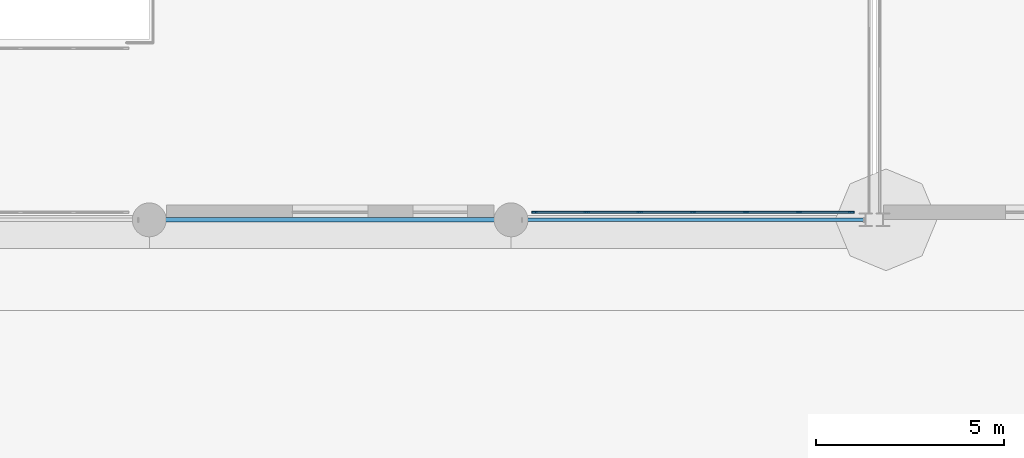
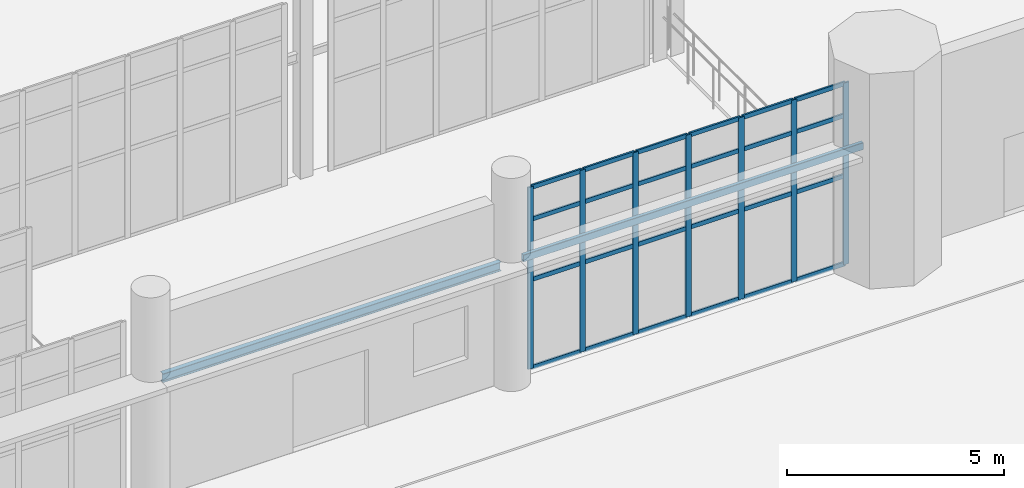
# One storey, part 49 of 139: 31 members, 2 beams, 1 element without a shape of its own.
"""IFC4 building model written with IfcOpenShell, lengths in metres."""

import ifcopenshell
import ifcopenshell.guid

model = None  # the IFC model being written
_history = None  # IfcOwnerHistory: only IFC2X3 demands one
_inside = {}  # id of a spatial element -> (the spatial element, [elements in it])
_under = {}  # id of a project, library or spatial element -> (it, [spatial elements below it])
_declared = {}  # id of a project -> (the project, [libraries it declares])
_typed = {}  # id of a type object -> (the type object, [elements of that type])
_made_of = {}  # id of a material, layer set ... -> (it, [elements and type objects made of it])


def new_model(schema):
    """Start an empty IFC model of exactly this schema.

    Asked for "IFC4X3", IfcOpenShell would pick the latest addendum, in which some entities
    have other attributes; the version numbers below select the first issue.
    IFC2X3 requires an IfcOwnerHistory on every rooted entity: one is made here for all.
    """
    global model, _history
    if schema == "IFC4X3":
        model = ifcopenshell.file(schema_version=(4, 3, 0, 0))
    else:
        model = ifcopenshell.file(schema=schema)
    _inside.clear()
    _under.clear()
    _declared.clear()
    _typed.clear()
    _made_of.clear()
    _history = None
    if model.schema == "IFC2X3":
        org = make("IfcOrganization", Name="unknown")
        user = make(
            "IfcPersonAndOrganization",
            ThePerson=make("IfcPerson", FamilyName="unknown"),
            TheOrganization=org,
        )
        app = make(
            "IfcApplication",
            ApplicationDeveloper=org,
            Version="unknown",
            ApplicationFullName="unknown",
            ApplicationIdentifier="unknown",
        )
        _history = make(
            "IfcOwnerHistory",
            OwningUser=user,
            OwningApplication=app,
            ChangeAction="ADDED",
            CreationDate=0,
        )
    return model


def make(cls, **values):
    """One entity of the class cls with the attributes given. An attribute that is None is left unset."""
    return model.create_entity(
        cls, **{name: value for name, value in values.items() if value is not None}
    )


def rooted(cls, **values):
    """An entity with a GlobalId (a new one), such as an element, a storey or a relation."""
    return make(cls, GlobalId=ifcopenshell.guid.new(), OwnerHistory=_history, **values)


def si_unit(unit_type, name, prefix=None):
    """IfcSIUnit, for example si_unit("LENGTHUNIT", "METRE", prefix="MILLI")."""
    return make("IfcSIUnit", UnitType=unit_type, Prefix=prefix, Name=name)


def assignment(units):
    """IfcUnitAssignment: the units of a project."""
    return None if units is None else make("IfcUnitAssignment", Units=units)


def point(xyz):
    """IfcCartesianPoint."""
    return None if xyz is None else make("IfcCartesianPoint", Coordinates=xyz)


def direction(xyz):
    """IfcDirection."""
    return None if xyz is None else make("IfcDirection", DirectionRatios=xyz)


def frame(location, z_axis=None, x_axis=None):
    """IfcAxis2Placement3D, a coordinate frame: its origin and axes. An axis left out is left unset."""
    return make(
        "IfcAxis2Placement3D",
        Location=point(location),
        Axis=direction(z_axis),
        RefDirection=direction(x_axis),
    )


def frame_2d(location, x_axis=None):
    """IfcAxis2Placement2D, a coordinate frame in the plane: its origin and x axis."""
    return make(
        "IfcAxis2Placement2D", Location=point(location), RefDirection=direction(x_axis)
    )


def origin():
    """The frame at (0, 0, 0) with its axes left unset."""
    return frame((0.0, 0.0, 0.0))


def origin_2d():
    """The frame at (0, 0) in the plane with its x axis left unset."""
    return frame_2d((0.0, 0.0))


def place(relative_to, where):
    """IfcLocalPlacement: puts the frame where relative to a parent placement (None: the world)."""
    return make(
        "IfcLocalPlacement", PlacementRelTo=relative_to, RelativePlacement=where
    )


def context(
    kind, dimensions, precision=None, world=None, true_north=None, identifier=None
):
    """IfcGeometricRepresentationContext, for example the 3D "Model" context."""
    return make(
        "IfcGeometricRepresentationContext",
        ContextIdentifier=identifier,
        ContextType=kind,
        CoordinateSpaceDimension=dimensions,
        Precision=precision,
        WorldCoordinateSystem=world,
        TrueNorth=true_north,
    )


def subcontext(parent, identifier, kind, view, scale=None):
    """IfcGeometricRepresentationSubContext, for example "Body" below "Model"."""
    return make(
        "IfcGeometricRepresentationSubContext",
        ContextIdentifier=identifier,
        ContextType=kind,
        ParentContext=parent,
        TargetScale=scale,
        TargetView=view,
    )


def project(units=None, contexts=None):
    """IfcProject with its units and contexts."""
    return rooted(
        "IfcProject",
        Name="project",
        RepresentationContexts=contexts,
        UnitsInContext=assignment(units),
    )


def spatial(cls, under=None, at=None, **own):
    """A site, building, storey or space (cls), placed at a placement, below another one or the project."""
    s = rooted(cls, ObjectPlacement=at, **own)
    if under is not None:
        _under.setdefault(under.id(), (under, []))[1].append(s)
    return s


def profile(cls, at=None, kind="AREA", **sizes):
    """A parametric profile (cls). Its sizes go by their IFC names, for example OverallWidth=200.0."""
    return make(cls, ProfileType=kind, Position=at, **sizes)


def rectangle(**sizes):
    """IfcRectangleProfileDef."""
    return profile("IfcRectangleProfileDef", **sizes)


def hollow_rectangle(**sizes):
    """IfcRectangleHollowProfileDef."""
    return profile("IfcRectangleHollowProfileDef", **sizes)


def i_section(**sizes):
    """IfcIShapeProfileDef."""
    return profile("IfcIShapeProfileDef", **sizes)


def extrude(swept, where, along, depth):
    """IfcExtrudedAreaSolid: the profile swept, set in the frame where, extruded along a direction by depth."""
    return make(
        "IfcExtrudedAreaSolid",
        SweptArea=swept,
        Position=where,
        ExtrudedDirection=direction(along),
        Depth=depth,
    )


def shape(context_of_items, identifier, shape_type, items):
    """IfcShapeRepresentation: the items that make up one representation, for example the "Body"."""
    return make(
        "IfcShapeRepresentation",
        ContextOfItems=context_of_items,
        RepresentationIdentifier=identifier,
        RepresentationType=shape_type,
        Items=items,
    )


def material(Name=None, Category=None):
    """IfcMaterial."""
    return make("IfcMaterial", Name=Name, Category=Category)


def layer(
    of_material, thickness, ventilated=None, Name=None, Category=None, Priority=None
):
    """IfcMaterialLayer: one layer of a wall or slab, of a material (None: an air gap)."""
    return make(
        "IfcMaterialLayer",
        Material=of_material,
        LayerThickness=thickness,
        IsVentilated=ventilated,
        Name=Name,
        Category=Category,
        Priority=Priority,
    )


def layer_set(layers, Name=None):
    """IfcMaterialLayerSet."""
    return make("IfcMaterialLayerSet", MaterialLayers=layers, LayerSetName=Name)


def material_profile(
    of_material, cross_section, Name=None, Category=None, Priority=None
):
    """IfcMaterialProfile: a cross section and its material."""
    return make(
        "IfcMaterialProfile",
        Name=Name,
        Material=of_material,
        Profile=cross_section,
        Priority=Priority,
        Category=Category,
    )


def profile_set(profiles, Name=None, composite=None):
    """IfcMaterialProfileSet."""
    return make(
        "IfcMaterialProfileSet",
        Name=Name,
        MaterialProfiles=profiles,
        CompositeProfile=composite,
    )


def made_of(thing, what):
    """Note that an element or type object is made of a material, layer set ...; save() writes the relation."""
    if what is not None:
        _made_of.setdefault(what.id(), (what, []))[1].append(thing)
    return thing


def type_object(cls, material=None, **own):
    """A type object (cls), such as IfcWallType, which elements share."""
    return made_of(rooted(cls, **own), material)


def element(
    cls,
    number,
    at=None,
    inside=None,
    cuts=None,
    type_object=None,
    material=None,
    context=None,
    identifier="Body",
    shape_type=None,
    held_by="IfcProductDefinitionShape",
    body=None,
    shapes=None,
    **own,
):
    """One element of the class cls, such as IfcWall. Its Tag is "e" and its number.

    at: its placement. inside: the storey or other place that contains it. cuts: it is an
    opening in that element (IfcRelVoidsElement). A single representation is given by context,
    identifier, shape_type and body (its items); several are given by shapes. held_by: the class
    of the entity that holds the representations. save() writes the other relations.
    """
    e = rooted(cls, Tag="e%d" % number, ObjectPlacement=at, **own)
    if body is not None:
        shapes = [shape(context, identifier, shape_type, body)]
    if shapes is not None:
        e.Representation = make(held_by, Representations=shapes)
    if inside is not None:
        _inside.setdefault(inside.id(), (inside, []))[1].append(e)
    if cuts is not None:
        rooted(
            "IfcRelVoidsElement", RelatingBuildingElement=cuts, RelatedOpeningElement=e
        )
    if type_object is not None:
        _typed.setdefault(type_object.id(), (type_object, []))[1].append(e)
    return made_of(e, material)


def aggregate(whole, parts):
    """IfcRelAggregates: a whole, such as a stair, and the parts it consists of."""
    return rooted("IfcRelAggregates", RelatingObject=whole, RelatedObjects=parts)


def save(model, path):
    """Write the relations noted so far, then the file.

    IfcRelAggregates (storeys below a building ...), IfcRelContainedInSpatialStructure (elements
    in a storey), IfcRelDefinesByType, IfcRelAssociatesMaterial and IfcRelDeclares: one each for
    every whole, place, type object, material and project.
    """
    for whole, parts in _under.values():
        aggregate(whole, parts)
    for where, things in _inside.values():
        rooted(
            "IfcRelContainedInSpatialStructure",
            RelatedElements=things,
            RelatingStructure=where,
        )
    for kind, things in _typed.values():
        rooted("IfcRelDefinesByType", RelatedObjects=things, RelatingType=kind)
    for what, things in _made_of.values():
        rooted("IfcRelAssociatesMaterial", RelatedObjects=things, RelatingMaterial=what)
    for by, libraries in _declared.values():
        rooted("IfcRelDeclares", RelatingContext=by, RelatedDefinitions=libraries)
    model.write(path)


model = new_model("IFC4")

# Units and contexts
model_context = context("Model", 3, precision=1e-05, world=origin(), true_north=direction((0.0, 1.0)))
body_context = subcontext(model_context, "Body", "Model", "MODEL_VIEW")
ifc_project = project(units=[si_unit("LENGTHUNIT", "METRE"), si_unit("AREAUNIT", "SQUARE_METRE"), si_unit("VOLUMEUNIT", "CUBIC_METRE"), si_unit("PLANEANGLEUNIT", "RADIAN"), si_unit("MASSUNIT", "GRAM", prefix="KILO")], contexts=[model_context])

# Site, building, storey
site_placement = place(None, origin())
site = spatial("IfcSite", under=ifc_project, at=site_placement, CompositionType="ELEMENT")
building_placement = place(site_placement, origin())
building = spatial("IfcBuilding", under=site, at=building_placement, Name="Yeouljin Market Hall", CompositionType="ELEMENT")
storey_placement = place(building_placement, origin())
storey = spatial("IfcBuildingStorey", under=building, at=storey_placement, Name="L00", CompositionType="ELEMENT", Elevation=0.0)

# Curtain wall, members
ifc_material_1 = material(Name="Thermally Broken Aluminium", Category="aluminium")
ifc_layer = layer(ifc_material_1, 0.14990234375)
ifc_layer_set = layer_set([ifc_layer], Name="Thermally Broken Aluminium")
curtain_wall_type = type_object("IfcCurtainWallType", Name="CW_ColonnadeScreen_System", PredefinedType="USERDEFINED", material=ifc_layer_set)
curtain_wall_placement = place(storey_placement, origin())
curtain_wall = element("IfcCurtainWall", 1, at=curtain_wall_placement, inside=storey, type_object=curtain_wall_type, Name="Curtain wall CW-V5S-L00-6", ObjectType="CURTAIN WALL", PredefinedType="USERDEFINED")
ifc_material_2 = material(Name="Thermally Broken Aluminium", Category="aluminium")
ifc_material_profile_1 = material_profile(ifc_material_2, rectangle(XDim=0.048095703125, YDim=0.14990234375, at=origin_2d()), Name="CW-MULL-48x150")
ifc_profile_set_1 = profile_set([ifc_material_profile_1], Name="Thermally Broken Aluminium")
member_type_1 = type_object("IfcMemberType", Name="CWMullion_48x150", PredefinedType="MULLION", material=ifc_profile_set_1)
member_1_placement = place(storey_placement, frame((140.426025390625, 0.199951171875, 0.0), z_axis=(0.0, 0.0, 1.0), x_axis=(0.0, -1.0, 0.0)))
member_1 = element("IfcMember", 2, at=member_1_placement, type_object=member_type_1, Name="CW-06 mullion 1", PredefinedType="MULLION", context=body_context, shape_type="SweptSolid", body=[
    extrude(rectangle(XDim=0.048095703125, YDim=0.14990234375, at=origin_2d()), origin(), (0.0, 0.0, 1.0), 5.1201171875),
])
member_2_placement = place(storey_placement, frame((139.041748046875, 0.199951171875, 0.0), z_axis=(0.0, 0.0, 1.0), x_axis=(0.0, -1.0, 0.0)))
member_2 = element("IfcMember", 3, at=member_2_placement, type_object=member_type_1, Name="CW-06 mullion 2", PredefinedType="MULLION", context=body_context, shape_type="SweptSolid", body=[
    extrude(rectangle(XDim=0.048095703125, YDim=0.14990234375, at=origin_2d()), origin(), (0.0, 0.0, 1.0), 5.1201171875),
])
member_3_placement = place(storey_placement, frame((137.63330078125, 0.199951171875, 0.0), z_axis=(0.0, 0.0, 1.0), x_axis=(0.0, -1.0, 0.0)))
member_3 = element("IfcMember", 4, at=member_3_placement, type_object=member_type_1, Name="CW-06 mullion 3", PredefinedType="MULLION", context=body_context, shape_type="SweptSolid", body=[
    extrude(rectangle(XDim=0.048095703125, YDim=0.14990234375, at=origin_2d()), origin(), (0.0, 0.0, 1.0), 5.1201171875),
])
member_4_placement = place(storey_placement, frame((136.22509765625, 0.199951171875, 0.0), z_axis=(0.0, 0.0, 1.0), x_axis=(0.0, -1.0, 0.0)))
member_4 = element("IfcMember", 5, at=member_4_placement, type_object=member_type_1, Name="CW-06 mullion 4", PredefinedType="MULLION", context=body_context, shape_type="SweptSolid", body=[
    extrude(rectangle(XDim=0.048095703125, YDim=0.14990234375, at=origin_2d()), origin(), (0.0, 0.0, 1.0), 5.1201171875),
])
member_5_placement = place(storey_placement, frame((134.816650390625, 0.199951171875, 0.0), z_axis=(0.0, 0.0, 1.0), x_axis=(0.0, -1.0, 0.0)))
member_5 = element("IfcMember", 6, at=member_5_placement, type_object=member_type_1, Name="CW-06 mullion 5", PredefinedType="MULLION", context=body_context, shape_type="SweptSolid", body=[
    extrude(rectangle(XDim=0.048095703125, YDim=0.14990234375, at=origin_2d()), origin(), (0.0, 0.0, 1.0), 5.1201171875),
])
member_6_placement = place(storey_placement, frame((133.408447265625, 0.199951171875, 0.0), z_axis=(0.0, 0.0, 1.0), x_axis=(0.0, -1.0, 0.0)))
member_6 = element("IfcMember", 7, at=member_6_placement, type_object=member_type_1, Name="CW-06 mullion 6", PredefinedType="MULLION", context=body_context, shape_type="SweptSolid", body=[
    extrude(rectangle(XDim=0.048095703125, YDim=0.14990234375, at=origin_2d()), origin(), (0.0, 0.0, 1.0), 5.1201171875),
])
member_7_placement = place(storey_placement, frame((132.02392578125, 0.199951171875, 0.0), z_axis=(0.0, 0.0, 1.0), x_axis=(0.0, -1.0, 0.0)))
member_7 = element("IfcMember", 8, at=member_7_placement, type_object=member_type_1, Name="CW-06 mullion 7", PredefinedType="MULLION", context=body_context, shape_type="SweptSolid", body=[
    extrude(rectangle(XDim=0.048095703125, YDim=0.14990234375, at=origin_2d()), origin(), (0.0, 0.0, 1.0), 5.1201171875),
])
ifc_material_3 = material(Name="Thermally Broken Aluminium", Category="aluminium")
ifc_material_profile_2 = material_profile(ifc_material_3, rectangle(XDim=0.048095703125, YDim=0.1201171875, at=origin_2d()), Name="CW-TRAN-48x120")
ifc_profile_set_2 = profile_set([ifc_material_profile_2], Name="Thermally Broken Aluminium")
member_type_2 = type_object("IfcMemberType", Name="CWTransom_48x120", PredefinedType="USERDEFINED", material=ifc_profile_set_2)
member_8_placement = place(storey_placement, frame((140.402099609375, 0.199951171875, 0.02392578125), z_axis=(-1.0, 0.0, 0.0), x_axis=(0.0, -1.0, 0.0)))
member_8 = element("IfcMember", 9, at=member_8_placement, type_object=member_type_2, Name="CW-06 transom 1.1", ObjectType="TRANSOM", PredefinedType="USERDEFINED", context=body_context, shape_type="SweptSolid", body=[
    extrude(rectangle(XDim=0.048095703125, YDim=0.1201171875, at=origin_2d()), origin(), (0.0, 0.0, 1.0), 1.33642578125),
])
member_9_placement = place(storey_placement, frame((140.402099609375, 0.199951171875, 2.5), z_axis=(-1.0, 0.0, 0.0), x_axis=(0.0, -1.0, 0.0)))
member_9 = element("IfcMember", 10, at=member_9_placement, type_object=member_type_2, Name="CW-06 transom 1.2", ObjectType="TRANSOM", PredefinedType="USERDEFINED", context=body_context, shape_type="SweptSolid", body=[
    extrude(rectangle(XDim=0.048095703125, YDim=0.1201171875, at=origin_2d()), origin(), (0.0, 0.0, 1.0), 1.33642578125),
])
member_10_placement = place(storey_placement, frame((140.402099609375, 0.199951171875, 4.199951171875), z_axis=(-1.0, 0.0, 0.0), x_axis=(0.0, -1.0, 0.0)))
member_10 = element("IfcMember", 11, at=member_10_placement, type_object=member_type_2, Name="CW-06 transom 1.3", ObjectType="TRANSOM", PredefinedType="USERDEFINED", context=body_context, shape_type="SweptSolid", body=[
    extrude(rectangle(XDim=0.048095703125, YDim=0.1201171875, at=origin_2d()), origin(), (0.0, 0.0, 1.0), 1.33642578125),
])
member_11_placement = place(storey_placement, frame((140.402099609375, 0.199951171875, 5.095947265625), z_axis=(-1.0, 0.0, 0.0), x_axis=(0.0, -1.0, 0.0)))
member_11 = element("IfcMember", 12, at=member_11_placement, type_object=member_type_2, Name="CW-06 transom 1.4", ObjectType="TRANSOM", PredefinedType="USERDEFINED", context=body_context, shape_type="SweptSolid", body=[
    extrude(rectangle(XDim=0.048095703125, YDim=0.1201171875, at=origin_2d()), origin(), (0.0, 0.0, 1.0), 1.33642578125),
])
member_12_placement = place(storey_placement, frame((139.017578125, 0.199951171875, 0.02392578125), z_axis=(-1.0, 0.0, 0.0), x_axis=(0.0, -1.0, 0.0)))
member_12 = element("IfcMember", 13, at=member_12_placement, type_object=member_type_2, Name="CW-06 transom 2.1", ObjectType="TRANSOM", PredefinedType="USERDEFINED", context=body_context, shape_type="SweptSolid", body=[
    extrude(rectangle(XDim=0.048095703125, YDim=0.1201171875, at=origin_2d()), origin(), (0.0, 0.0, 1.0), 1.3603515625),
])
member_13_placement = place(storey_placement, frame((139.017578125, 0.199951171875, 2.5), z_axis=(-1.0, 0.0, 0.0), x_axis=(0.0, -1.0, 0.0)))
member_13 = element("IfcMember", 14, at=member_13_placement, type_object=member_type_2, Name="CW-06 transom 2.2", ObjectType="TRANSOM", PredefinedType="USERDEFINED", context=body_context, shape_type="SweptSolid", body=[
    extrude(rectangle(XDim=0.048095703125, YDim=0.1201171875, at=origin_2d()), origin(), (0.0, 0.0, 1.0), 1.3603515625),
])
member_14_placement = place(storey_placement, frame((139.017578125, 0.199951171875, 4.199951171875), z_axis=(-1.0, 0.0, 0.0), x_axis=(0.0, -1.0, 0.0)))
member_14 = element("IfcMember", 15, at=member_14_placement, type_object=member_type_2, Name="CW-06 transom 2.3", ObjectType="TRANSOM", PredefinedType="USERDEFINED", context=body_context, shape_type="SweptSolid", body=[
    extrude(rectangle(XDim=0.048095703125, YDim=0.1201171875, at=origin_2d()), origin(), (0.0, 0.0, 1.0), 1.3603515625),
])
member_15_placement = place(storey_placement, frame((139.017578125, 0.199951171875, 5.095947265625), z_axis=(-1.0, 0.0, 0.0), x_axis=(0.0, -1.0, 0.0)))
member_15 = element("IfcMember", 16, at=member_15_placement, type_object=member_type_2, Name="CW-06 transom 2.4", ObjectType="TRANSOM", PredefinedType="USERDEFINED", context=body_context, shape_type="SweptSolid", body=[
    extrude(rectangle(XDim=0.048095703125, YDim=0.1201171875, at=origin_2d()), origin(), (0.0, 0.0, 1.0), 1.3603515625),
])
member_16_placement = place(storey_placement, frame((137.609375, 0.199951171875, 0.02392578125), z_axis=(-1.0, 0.0, 0.0), x_axis=(0.0, -1.0, 0.0)))
member_16 = element("IfcMember", 17, at=member_16_placement, type_object=member_type_2, Name="CW-06 transom 3.1", ObjectType="TRANSOM", PredefinedType="USERDEFINED", context=body_context, shape_type="SweptSolid", body=[
    extrude(rectangle(XDim=0.048095703125, YDim=0.1201171875, at=origin_2d()), origin(), (0.0, 0.0, 1.0), 1.3603515625),
])
member_17_placement = place(storey_placement, frame((137.609375, 0.199951171875, 2.5), z_axis=(-1.0, 0.0, 0.0), x_axis=(0.0, -1.0, 0.0)))
member_17 = element("IfcMember", 18, at=member_17_placement, type_object=member_type_2, Name="CW-06 transom 3.2", ObjectType="TRANSOM", PredefinedType="USERDEFINED", context=body_context, shape_type="SweptSolid", body=[
    extrude(rectangle(XDim=0.048095703125, YDim=0.1201171875, at=origin_2d()), origin(), (0.0, 0.0, 1.0), 1.3603515625),
])
member_18_placement = place(storey_placement, frame((137.609375, 0.199951171875, 4.199951171875), z_axis=(-1.0, 0.0, 0.0), x_axis=(0.0, -1.0, 0.0)))
member_18 = element("IfcMember", 19, at=member_18_placement, type_object=member_type_2, Name="CW-06 transom 3.3", ObjectType="TRANSOM", PredefinedType="USERDEFINED", context=body_context, shape_type="SweptSolid", body=[
    extrude(rectangle(XDim=0.048095703125, YDim=0.1201171875, at=origin_2d()), origin(), (0.0, 0.0, 1.0), 1.3603515625),
])
member_19_placement = place(storey_placement, frame((137.609375, 0.199951171875, 5.095947265625), z_axis=(-1.0, 0.0, 0.0), x_axis=(0.0, -1.0, 0.0)))
member_19 = element("IfcMember", 20, at=member_19_placement, type_object=member_type_2, Name="CW-06 transom 3.4", ObjectType="TRANSOM", PredefinedType="USERDEFINED", context=body_context, shape_type="SweptSolid", body=[
    extrude(rectangle(XDim=0.048095703125, YDim=0.1201171875, at=origin_2d()), origin(), (0.0, 0.0, 1.0), 1.3603515625),
])
member_20_placement = place(storey_placement, frame((136.200927734375, 0.199951171875, 0.02392578125), z_axis=(-1.0, 0.0, 0.0), x_axis=(0.0, -1.0, 0.0)))
member_20 = element("IfcMember", 21, at=member_20_placement, type_object=member_type_2, Name="CW-06 transom 4.1", ObjectType="TRANSOM", PredefinedType="USERDEFINED", context=body_context, shape_type="SweptSolid", body=[
    extrude(rectangle(XDim=0.048095703125, YDim=0.1201171875, at=origin_2d()), origin(), (0.0, 0.0, 1.0), 1.3603515625),
])
member_21_placement = place(storey_placement, frame((136.200927734375, 0.199951171875, 2.5), z_axis=(-1.0, 0.0, 0.0), x_axis=(0.0, -1.0, 0.0)))
member_21 = element("IfcMember", 22, at=member_21_placement, type_object=member_type_2, Name="CW-06 transom 4.2", ObjectType="TRANSOM", PredefinedType="USERDEFINED", context=body_context, shape_type="SweptSolid", body=[
    extrude(rectangle(XDim=0.048095703125, YDim=0.1201171875, at=origin_2d()), origin(), (0.0, 0.0, 1.0), 1.3603515625),
])
member_22_placement = place(storey_placement, frame((136.200927734375, 0.199951171875, 4.199951171875), z_axis=(-1.0, 0.0, 0.0), x_axis=(0.0, -1.0, 0.0)))
member_22 = element("IfcMember", 23, at=member_22_placement, type_object=member_type_2, Name="CW-06 transom 4.3", ObjectType="TRANSOM", PredefinedType="USERDEFINED", context=body_context, shape_type="SweptSolid", body=[
    extrude(rectangle(XDim=0.048095703125, YDim=0.1201171875, at=origin_2d()), origin(), (0.0, 0.0, 1.0), 1.3603515625),
])
member_23_placement = place(storey_placement, frame((136.200927734375, 0.199951171875, 5.095947265625), z_axis=(-1.0, 0.0, 0.0), x_axis=(0.0, -1.0, 0.0)))
member_23 = element("IfcMember", 24, at=member_23_placement, type_object=member_type_2, Name="CW-06 transom 4.4", ObjectType="TRANSOM", PredefinedType="USERDEFINED", context=body_context, shape_type="SweptSolid", body=[
    extrude(rectangle(XDim=0.048095703125, YDim=0.1201171875, at=origin_2d()), origin(), (0.0, 0.0, 1.0), 1.3603515625),
])
member_24_placement = place(storey_placement, frame((134.792724609375, 0.199951171875, 0.02392578125), z_axis=(-1.0, 0.0, 0.0), x_axis=(0.0, -1.0, 0.0)))
member_24 = element("IfcMember", 25, at=member_24_placement, type_object=member_type_2, Name="CW-06 transom 5.1", ObjectType="TRANSOM", PredefinedType="USERDEFINED", context=body_context, shape_type="SweptSolid", body=[
    extrude(rectangle(XDim=0.048095703125, YDim=0.1201171875, at=origin_2d()), origin(), (0.0, 0.0, 1.0), 1.3603515625),
])
member_25_placement = place(storey_placement, frame((134.792724609375, 0.199951171875, 2.5), z_axis=(-1.0, 0.0, 0.0), x_axis=(0.0, -1.0, 0.0)))
member_25 = element("IfcMember", 26, at=member_25_placement, type_object=member_type_2, Name="CW-06 transom 5.2", ObjectType="TRANSOM", PredefinedType="USERDEFINED", context=body_context, shape_type="SweptSolid", body=[
    extrude(rectangle(XDim=0.048095703125, YDim=0.1201171875, at=origin_2d()), origin(), (0.0, 0.0, 1.0), 1.3603515625),
])
member_26_placement = place(storey_placement, frame((134.792724609375, 0.199951171875, 4.199951171875), z_axis=(-1.0, 0.0, 0.0), x_axis=(0.0, -1.0, 0.0)))
member_26 = element("IfcMember", 27, at=member_26_placement, type_object=member_type_2, Name="CW-06 transom 5.3", ObjectType="TRANSOM", PredefinedType="USERDEFINED", context=body_context, shape_type="SweptSolid", body=[
    extrude(rectangle(XDim=0.048095703125, YDim=0.1201171875, at=origin_2d()), origin(), (0.0, 0.0, 1.0), 1.3603515625),
])
member_27_placement = place(storey_placement, frame((134.792724609375, 0.199951171875, 5.095947265625), z_axis=(-1.0, 0.0, 0.0), x_axis=(0.0, -1.0, 0.0)))
member_27 = element("IfcMember", 28, at=member_27_placement, type_object=member_type_2, Name="CW-06 transom 5.4", ObjectType="TRANSOM", PredefinedType="USERDEFINED", context=body_context, shape_type="SweptSolid", body=[
    extrude(rectangle(XDim=0.048095703125, YDim=0.1201171875, at=origin_2d()), origin(), (0.0, 0.0, 1.0), 1.3603515625),
])
member_28_placement = place(storey_placement, frame((133.38427734375, 0.199951171875, 0.02392578125), z_axis=(-1.0, 0.0, 0.0), x_axis=(0.0, -1.0, 0.0)))
member_28 = element("IfcMember", 29, at=member_28_placement, type_object=member_type_2, Name="CW-06 transom 6.1", ObjectType="TRANSOM", PredefinedType="USERDEFINED", context=body_context, shape_type="SweptSolid", body=[
    extrude(rectangle(XDim=0.048095703125, YDim=0.1201171875, at=origin_2d()), origin(), (0.0, 0.0, 1.0), 1.336181640625),
])
member_29_placement = place(storey_placement, frame((133.38427734375, 0.199951171875, 2.5), z_axis=(-1.0, 0.0, 0.0), x_axis=(0.0, -1.0, 0.0)))
member_29 = element("IfcMember", 30, at=member_29_placement, type_object=member_type_2, Name="CW-06 transom 6.2", ObjectType="TRANSOM", PredefinedType="USERDEFINED", context=body_context, shape_type="SweptSolid", body=[
    extrude(rectangle(XDim=0.048095703125, YDim=0.1201171875, at=origin_2d()), origin(), (0.0, 0.0, 1.0), 1.336181640625),
])
member_30_placement = place(storey_placement, frame((133.38427734375, 0.199951171875, 4.199951171875), z_axis=(-1.0, 0.0, 0.0), x_axis=(0.0, -1.0, 0.0)))
member_30 = element("IfcMember", 31, at=member_30_placement, type_object=member_type_2, Name="CW-06 transom 6.3", ObjectType="TRANSOM", PredefinedType="USERDEFINED", context=body_context, shape_type="SweptSolid", body=[
    extrude(rectangle(XDim=0.048095703125, YDim=0.1201171875, at=origin_2d()), origin(), (0.0, 0.0, 1.0), 1.336181640625),
])
member_31_placement = place(storey_placement, frame((133.38427734375, 0.199951171875, 5.095947265625), z_axis=(-1.0, 0.0, 0.0), x_axis=(0.0, -1.0, 0.0)))
member_31 = element("IfcMember", 32, at=member_31_placement, type_object=member_type_2, Name="CW-06 transom 6.4", ObjectType="TRANSOM", PredefinedType="USERDEFINED", context=body_context, shape_type="SweptSolid", body=[
    extrude(rectangle(XDim=0.048095703125, YDim=0.1201171875, at=origin_2d()), origin(), (0.0, 0.0, 1.0), 1.336181640625),
])
aggregate(curtain_wall, [member_1, member_2, member_3, member_4, member_5, member_6, member_7, member_8, member_9, member_10, member_11, member_12, member_13, member_14, member_15, member_16, member_17, member_18, member_19, member_20, member_21, member_22, member_23, member_24, member_25, member_26, member_27, member_28, member_29, member_30, member_31])

# Beams
ifc_material_4 = material(Name="Steel SM355", Category="steel")
ifc_material_profile_3 = material_profile(ifc_material_4, i_section(OverallWidth=0.125, OverallDepth=0.25, WebThickness=0.006103515625, FlangeThickness=0.009033203125, FilletRadius=0.011962890625, at=origin_2d()), Name="H-250x125x6x9")
ifc_profile_set_3 = profile_set([ifc_material_profile_3], Name="Steel SM355")
beam_type_1 = type_object("IfcBeamType", Name="Lintel_H250x125", PredefinedType="LINTEL", material=ifc_profile_set_3)
beam_1_placement = place(storey_placement, frame((122.10009765625, 0.0, 3.35009765625), z_axis=(1.0, 0.0, 0.0), x_axis=(0.0, 1.0, 0.0)))
element("IfcBeam", 33, at=beam_1_placement, inside=storey, type_object=beam_type_1, Name="Colonnade portal lintel L00-11", PredefinedType="LINTEL", context=body_context, shape_type="SweptSolid", body=[
    extrude(i_section(OverallWidth=0.125, OverallDepth=0.25, WebThickness=0.006103515625, FlangeThickness=0.009033203125, FilletRadius=0.011962890625, at=origin_2d()), origin(), (0.0, 0.0, 1.0), 9.0),
])
ifc_material_5 = material(Name="Steel SS275", Category="steel")
ifc_material_profile_4 = material_profile(ifc_material_5, hollow_rectangle(XDim=0.10009765625, YDim=0.199951171875, WallThickness=0.006103515625, InnerFilletRadius=0.006103515625, OuterFilletRadius=0.011962890625, at=origin_2d()), Name="RHS-200x100x6")
ifc_profile_set_4 = profile_set([ifc_material_profile_4], Name="Steel SS275")
beam_type_2 = type_object("IfcBeamType", Name="Lintel_RHS200x100", PredefinedType="LINTEL", material=ifc_profile_set_4)
beam_2_placement = place(storey_placement, frame((131.699951171875, 0.0, 3.35009765625), z_axis=(1.0, 0.0, 0.0), x_axis=(0.0, 1.0, 0.0)))
element("IfcBeam", 34, at=beam_2_placement, inside=storey, type_object=beam_type_2, Name="Colonnade portal lintel L00-12", PredefinedType="LINTEL", context=body_context, shape_type="SweptSolid", body=[
    extrude(hollow_rectangle(XDim=0.10009765625, YDim=0.199951171875, WallThickness=0.006103515625, InnerFilletRadius=0.006103515625, OuterFilletRadius=0.011962890625, at=origin_2d()), origin(), (0.0, 0.0, 1.0), 9.050048828125),
])

save(model, "model.ifc")
